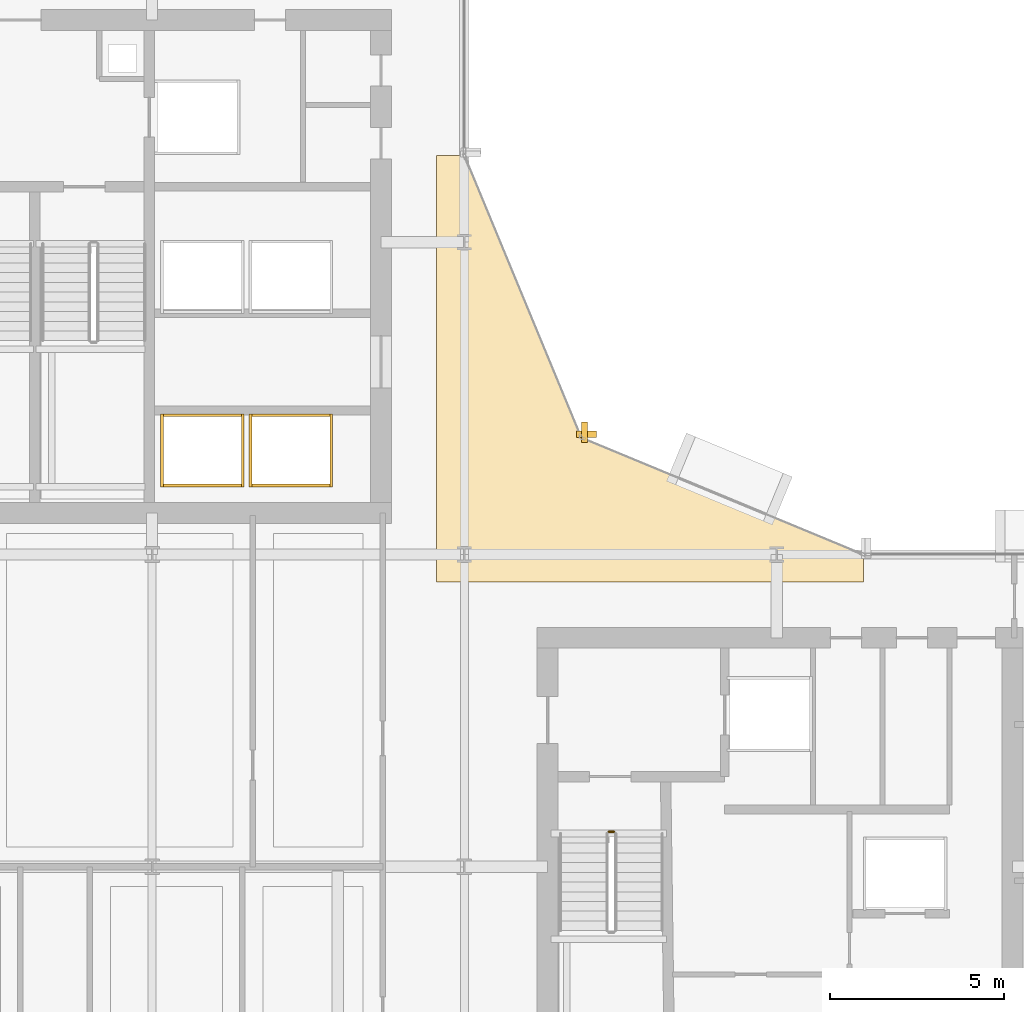
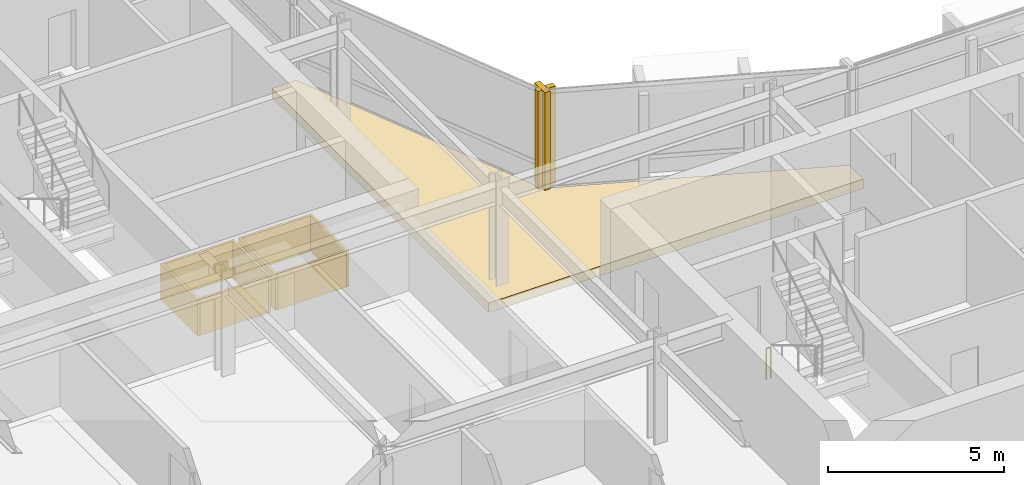
# One storey, part 27 of 29: 11 coverings, 1 railing.
"""IFC4 building model written with IfcOpenShell, lengths in metres."""

import ifcopenshell
import ifcopenshell.guid

model = None  # the IFC model being written
_history = None  # IfcOwnerHistory: only IFC2X3 demands one
_inside = {}  # id of a spatial element -> (the spatial element, [elements in it])
_under = {}  # id of a project, library or spatial element -> (it, [spatial elements below it])
_declared = {}  # id of a project -> (the project, [libraries it declares])
_typed = {}  # id of a type object -> (the type object, [elements of that type])
_made_of = {}  # id of a material, layer set ... -> (it, [elements and type objects made of it])


def new_model(schema):
    """Start an empty IFC model of exactly this schema.

    Asked for "IFC4X3", IfcOpenShell would pick the latest addendum, in which some entities
    have other attributes; the version numbers below select the first issue.
    IFC2X3 requires an IfcOwnerHistory on every rooted entity: one is made here for all.
    """
    global model, _history
    if schema == "IFC4X3":
        model = ifcopenshell.file(schema_version=(4, 3, 0, 0))
    else:
        model = ifcopenshell.file(schema=schema)
    _inside.clear()
    _under.clear()
    _declared.clear()
    _typed.clear()
    _made_of.clear()
    _history = None
    if model.schema == "IFC2X3":
        org = make("IfcOrganization", Name="unknown")
        user = make(
            "IfcPersonAndOrganization",
            ThePerson=make("IfcPerson", FamilyName="unknown"),
            TheOrganization=org,
        )
        app = make(
            "IfcApplication",
            ApplicationDeveloper=org,
            Version="unknown",
            ApplicationFullName="unknown",
            ApplicationIdentifier="unknown",
        )
        _history = make(
            "IfcOwnerHistory",
            OwningUser=user,
            OwningApplication=app,
            ChangeAction="ADDED",
            CreationDate=0,
        )
    return model


def make(cls, **values):
    """One entity of the class cls with the attributes given. An attribute that is None is left unset."""
    return model.create_entity(
        cls, **{name: value for name, value in values.items() if value is not None}
    )


def rooted(cls, **values):
    """An entity with a GlobalId (a new one), such as an element, a storey or a relation."""
    return make(cls, GlobalId=ifcopenshell.guid.new(), OwnerHistory=_history, **values)


def si_unit(unit_type, name, prefix=None):
    """IfcSIUnit, for example si_unit("LENGTHUNIT", "METRE", prefix="MILLI")."""
    return make("IfcSIUnit", UnitType=unit_type, Prefix=prefix, Name=name)


def assignment(units):
    """IfcUnitAssignment: the units of a project."""
    return None if units is None else make("IfcUnitAssignment", Units=units)


def point(xyz):
    """IfcCartesianPoint."""
    return None if xyz is None else make("IfcCartesianPoint", Coordinates=xyz)


def direction(xyz):
    """IfcDirection."""
    return None if xyz is None else make("IfcDirection", DirectionRatios=xyz)


def frame(location, z_axis=None, x_axis=None):
    """IfcAxis2Placement3D, a coordinate frame: its origin and axes. An axis left out is left unset."""
    return make(
        "IfcAxis2Placement3D",
        Location=point(location),
        Axis=direction(z_axis),
        RefDirection=direction(x_axis),
    )


def frame_2d(location, x_axis=None):
    """IfcAxis2Placement2D, a coordinate frame in the plane: its origin and x axis."""
    return make(
        "IfcAxis2Placement2D", Location=point(location), RefDirection=direction(x_axis)
    )


def origin():
    """The frame at (0, 0, 0) with its axes left unset."""
    return frame((0.0, 0.0, 0.0))


def origin_2d():
    """The frame at (0, 0) in the plane with its x axis left unset."""
    return frame_2d((0.0, 0.0))


def place(relative_to, where):
    """IfcLocalPlacement: puts the frame where relative to a parent placement (None: the world)."""
    return make(
        "IfcLocalPlacement", PlacementRelTo=relative_to, RelativePlacement=where
    )


def context(
    kind, dimensions, precision=None, world=None, true_north=None, identifier=None
):
    """IfcGeometricRepresentationContext, for example the 3D "Model" context."""
    return make(
        "IfcGeometricRepresentationContext",
        ContextIdentifier=identifier,
        ContextType=kind,
        CoordinateSpaceDimension=dimensions,
        Precision=precision,
        WorldCoordinateSystem=world,
        TrueNorth=true_north,
    )


def subcontext(parent, identifier, kind, view, scale=None):
    """IfcGeometricRepresentationSubContext, for example "Body" below "Model"."""
    return make(
        "IfcGeometricRepresentationSubContext",
        ContextIdentifier=identifier,
        ContextType=kind,
        ParentContext=parent,
        TargetScale=scale,
        TargetView=view,
    )


def project(units=None, contexts=None):
    """IfcProject with its units and contexts."""
    return rooted(
        "IfcProject",
        Name="project",
        RepresentationContexts=contexts,
        UnitsInContext=assignment(units),
    )


def spatial(cls, under=None, at=None, **own):
    """A site, building, storey or space (cls), placed at a placement, below another one or the project."""
    s = rooted(cls, ObjectPlacement=at, **own)
    if under is not None:
        _under.setdefault(under.id(), (under, []))[1].append(s)
    return s


def polyline(points):
    """IfcPolyline through the points."""
    return make("IfcPolyline", Points=[point(p) for p in points])


def profile(cls, at=None, kind="AREA", **sizes):
    """A parametric profile (cls). Its sizes go by their IFC names, for example OverallWidth=200.0."""
    return make(cls, ProfileType=kind, Position=at, **sizes)


def rectangle(**sizes):
    """IfcRectangleProfileDef."""
    return profile("IfcRectangleProfileDef", **sizes)


def circle(**sizes):
    """IfcCircleProfileDef."""
    return profile("IfcCircleProfileDef", **sizes)


def outline(outer, holes=None, kind="AREA"):
    """IfcArbitraryClosedProfileDef: a profile drawn as a closed curve; with holes, ...WithVoids."""
    if holes is None:
        return make("IfcArbitraryClosedProfileDef", ProfileType=kind, OuterCurve=outer)
    return make(
        "IfcArbitraryProfileDefWithVoids",
        ProfileType=kind,
        OuterCurve=outer,
        InnerCurves=holes,
    )


def extrude(swept, where, along, depth):
    """IfcExtrudedAreaSolid: the profile swept, set in the frame where, extruded along a direction by depth."""
    return make(
        "IfcExtrudedAreaSolid",
        SweptArea=swept,
        Position=where,
        ExtrudedDirection=direction(along),
        Depth=depth,
    )


def shape(context_of_items, identifier, shape_type, items):
    """IfcShapeRepresentation: the items that make up one representation, for example the "Body"."""
    return make(
        "IfcShapeRepresentation",
        ContextOfItems=context_of_items,
        RepresentationIdentifier=identifier,
        RepresentationType=shape_type,
        Items=items,
    )


def material(Name=None, Category=None):
    """IfcMaterial."""
    return make("IfcMaterial", Name=Name, Category=Category)


def layer(
    of_material, thickness, ventilated=None, Name=None, Category=None, Priority=None
):
    """IfcMaterialLayer: one layer of a wall or slab, of a material (None: an air gap)."""
    return make(
        "IfcMaterialLayer",
        Material=of_material,
        LayerThickness=thickness,
        IsVentilated=ventilated,
        Name=Name,
        Category=Category,
        Priority=Priority,
    )


def layer_set(layers, Name=None):
    """IfcMaterialLayerSet."""
    return make("IfcMaterialLayerSet", MaterialLayers=layers, LayerSetName=Name)


def made_of(thing, what):
    """Note that an element or type object is made of a material, layer set ...; save() writes the relation."""
    if what is not None:
        _made_of.setdefault(what.id(), (what, []))[1].append(thing)
    return thing


def type_object(cls, material=None, **own):
    """A type object (cls), such as IfcWallType, which elements share."""
    return made_of(rooted(cls, **own), material)


def element(
    cls,
    number,
    at=None,
    inside=None,
    cuts=None,
    type_object=None,
    material=None,
    context=None,
    identifier="Body",
    shape_type=None,
    held_by="IfcProductDefinitionShape",
    body=None,
    shapes=None,
    **own,
):
    """One element of the class cls, such as IfcWall. Its Tag is "e" and its number.

    at: its placement. inside: the storey or other place that contains it. cuts: it is an
    opening in that element (IfcRelVoidsElement). A single representation is given by context,
    identifier, shape_type and body (its items); several are given by shapes. held_by: the class
    of the entity that holds the representations. save() writes the other relations.
    """
    e = rooted(cls, Tag="e%d" % number, ObjectPlacement=at, **own)
    if body is not None:
        shapes = [shape(context, identifier, shape_type, body)]
    if shapes is not None:
        e.Representation = make(held_by, Representations=shapes)
    if inside is not None:
        _inside.setdefault(inside.id(), (inside, []))[1].append(e)
    if cuts is not None:
        rooted(
            "IfcRelVoidsElement", RelatingBuildingElement=cuts, RelatedOpeningElement=e
        )
    if type_object is not None:
        _typed.setdefault(type_object.id(), (type_object, []))[1].append(e)
    return made_of(e, material)


def aggregate(whole, parts):
    """IfcRelAggregates: a whole, such as a stair, and the parts it consists of."""
    return rooted("IfcRelAggregates", RelatingObject=whole, RelatedObjects=parts)


def save(model, path):
    """Write the relations noted so far, then the file.

    IfcRelAggregates (storeys below a building ...), IfcRelContainedInSpatialStructure (elements
    in a storey), IfcRelDefinesByType, IfcRelAssociatesMaterial and IfcRelDeclares: one each for
    every whole, place, type object, material and project.
    """
    for whole, parts in _under.values():
        aggregate(whole, parts)
    for where, things in _inside.values():
        rooted(
            "IfcRelContainedInSpatialStructure",
            RelatedElements=things,
            RelatingStructure=where,
        )
    for kind, things in _typed.values():
        rooted("IfcRelDefinesByType", RelatedObjects=things, RelatingType=kind)
    for what, things in _made_of.values():
        rooted("IfcRelAssociatesMaterial", RelatedObjects=things, RelatingMaterial=what)
    for by, libraries in _declared.values():
        rooted("IfcRelDeclares", RelatingContext=by, RelatedDefinitions=libraries)
    model.write(path)


model = new_model("IFC4")

# Units and contexts
model_context = context("Model", 3, precision=1e-05, world=origin(), true_north=direction((0.0, 1.0)))
body_context = subcontext(model_context, "Body", "Model", "MODEL_VIEW")
ifc_project = project(units=[si_unit("LENGTHUNIT", "METRE"), si_unit("AREAUNIT", "SQUARE_METRE"), si_unit("VOLUMEUNIT", "CUBIC_METRE"), si_unit("PLANEANGLEUNIT", "RADIAN"), si_unit("MASSUNIT", "GRAM", prefix="KILO")], contexts=[model_context])

# Site, building, storey
site_placement = place(None, origin())
site = spatial("IfcSite", under=ifc_project, at=site_placement, CompositionType="ELEMENT")
building_placement = place(site_placement, origin())
building = spatial("IfcBuilding", under=site, at=building_placement, Name="Solvaryn Broadcast Tower", CompositionType="ELEMENT")
storey_placement = place(building_placement, frame((0.0, 0.0, 124.800048828125)))
storey = spatial("IfcBuildingStorey", under=building, at=storey_placement, Name="L30", CompositionType="ELEMENT", Elevation=124.800048828125)

# Coverings
ifc_material_1 = material(Name="Fire-Rated Gypsum Shaftwall Liner", Category="concrete")
ifc_layer_1 = layer(ifc_material_1, 0.080078125)
ifc_layer_set_1 = layer_set([ifc_layer_1], Name="CV-SHAFT-LINER")
covering_type_1 = type_object("IfcCoveringType", Name="CV-SHAFT-LINER", PredefinedType="CLADDING", material=ifc_layer_set_1)
for number, where, z_axis, x_axis, name in (
    (1, (19.449951171875, 31.014892578125, 0.0), (0.0, 0.0, 1.0), (1.0, 0.0, 0.0), "L30 PH1 Hoistway Shaft Liner North"),
    (2, (19.449951171875, 28.985107421875, 0.0), (0.0, 0.0, 1.0), (1.0, 0.0, 0.0), "L30 PH1 Hoistway Shaft Liner South"),
):
    element("IfcCovering", number, at=place(storey_placement, frame(where, z_axis=z_axis, x_axis=x_axis)), inside=storey, type_object=covering_type_1, Name=name, PredefinedType="CLADDING", context=body_context, shape_type="SweptSolid", body=[
        extrude(rectangle(XDim=2.409912109375, YDim=0.080078125, at=origin_2d()), origin(), (0.0, 0.0, 1.0), 1.25),
    ])
for number, where, z_axis, x_axis, name in (
    (3, (20.614990234375, 30.0, 0.0), (0.0, 0.0, 1.0), (1.0, 0.0, 0.0), "L30 PH1 Hoistway Shaft Liner East"),
    (4, (18.284912109375, 30.0, 0.0), (0.0, 0.0, 1.0), (1.0, 0.0, 0.0), "L30 PH1 Hoistway Shaft Liner West"),
):
    element("IfcCovering", number, at=place(storey_placement, frame(where, z_axis=z_axis, x_axis=x_axis)), inside=storey, type_object=covering_type_1, Name=name, PredefinedType="CLADDING", context=body_context, shape_type="SweptSolid", body=[
        extrude(rectangle(XDim=0.080078125, YDim=2.110107421875, at=origin_2d()), origin(), (0.0, 0.0, 1.0), 1.25),
    ])
for number, where, z_axis, x_axis, name in (
    (5, (22.0, 31.014892578125, 0.0), (0.0, 0.0, 1.0), (1.0, 0.0, 0.0), "L30 PH2 Hoistway Shaft Liner North"),
    (6, (22.0, 28.985107421875, 0.0), (0.0, 0.0, 1.0), (1.0, 0.0, 0.0), "L30 PH2 Hoistway Shaft Liner South"),
):
    element("IfcCovering", number, at=place(storey_placement, frame(where, z_axis=z_axis, x_axis=x_axis)), inside=storey, type_object=covering_type_1, Name=name, PredefinedType="CLADDING", context=body_context, shape_type="SweptSolid", body=[
        extrude(rectangle(XDim=2.409912109375, YDim=0.080078125, at=origin_2d()), origin(), (0.0, 0.0, 1.0), 1.25),
    ])
for number, where, z_axis, x_axis, name in (
    (7, (23.1650390625, 30.0, 0.0), (0.0, 0.0, 1.0), (1.0, 0.0, 0.0), "L30 PH2 Hoistway Shaft Liner East"),
    (8, (20.8349609375, 30.0, 0.0), (0.0, 0.0, 1.0), (1.0, 0.0, 0.0), "L30 PH2 Hoistway Shaft Liner West"),
):
    element("IfcCovering", number, at=place(storey_placement, frame(where, z_axis=z_axis, x_axis=x_axis)), inside=storey, type_object=covering_type_1, Name=name, PredefinedType="CLADDING", context=body_context, shape_type="SweptSolid", body=[
        extrude(rectangle(XDim=0.080078125, YDim=2.110107421875, at=origin_2d()), origin(), (0.0, 0.0, 1.0), 1.25),
    ])
ifc_material_2 = material(Name="Extruded Architectural Terracotta Fin", Category="masonry")
ifc_layer_2 = layer(ifc_material_2, 0.179931640625)
ifc_layer_set_2 = layer_set([ifc_layer_2], Name="CV-TC-FIN")
covering_type_2 = type_object("IfcCoveringType", Name="CV-TC-FIN", PredefinedType="USERDEFINED", material=ifc_layer_set_2)
covering_1_placement = place(storey_placement, frame((30.464599609375, 30.52294921875, 0.0), z_axis=(0.0, 0.0, 1.0), x_axis=(1.0, 0.0, 0.0)))
element("IfcCovering", 9, at=covering_1_placement, inside=storey, type_object=covering_type_2, Name="L30 Terracotta Vertical Fin FIN-L30-CN1-M01", ObjectType="FIN", PredefinedType="USERDEFINED", context=body_context, shape_type="SweptSolid", body=[
    extrude(rectangle(XDim=0.179931640625, YDim=0.580078125, at=origin_2d()), origin(), (0.0, 0.0, 1.0), 3.419921875),
])
covering_2_placement = place(storey_placement, frame((30.52294921875, 30.464599609375, 0.0), z_axis=(0.0, 0.0, 1.0), x_axis=(1.0, 0.0, 0.0)))
element("IfcCovering", 10, at=covering_2_placement, inside=storey, type_object=covering_type_2, Name="L30 Terracotta Vertical Fin FIN-L30-CN2-M00", ObjectType="FIN", PredefinedType="USERDEFINED", context=body_context, shape_type="SweptSolid", body=[
    extrude(rectangle(XDim=0.580078125, YDim=0.179931640625, at=origin_2d()), origin(), (0.0, 0.0, 1.0), 3.419921875),
])
ifc_material_3 = material(Name="Sculpted Architectural Terracotta Wave Fascia", Category="masonry")
ifc_layer_3 = layer(ifc_material_3, 0.340087890625)
ifc_layer_set_3 = layer_set([ifc_layer_3], Name="CV-WAVE-TRAY")
covering_type_3 = type_object("IfcCoveringType", Name="CV-WAVE-TRAY", PredefinedType="CLADDING", material=ifc_layer_set_3)
covering_3_placement = place(storey_placement, frame((0.0, 0.0, -0.300048828125)))
element("IfcCovering", 11, at=covering_3_placement, inside=storey, type_object=covering_type_3, Name="L30 Concave Canyon Floor Apron", PredefinedType="CLADDING", context=body_context, shape_type="SweptSolid", body=[
    extrude(outline(polyline([(26.199951171875, 26.199951171875), (38.5, 26.199951171875), (38.5, 27.0), (30.367919921875, 30.367919921875), (27.0, 38.5), (26.199951171875, 38.5), (26.199951171875, 26.199951171875)])), origin(), (0.0, 0.0, 1.0), 0.330078125),
])

# Railing
ifc_material_4 = material(Name="Painted Steel Stair Well Guard", Category="steel")
railing_type = type_object("IfcRailingType", Name="RL-STAIR-GUARD", PredefinedType="BALUSTRADE", material=ifc_material_4)
railing_placement = place(storey_placement, frame((31.159912109375, 19.010009765625, 0.0)))
element("IfcRailing", 12, at=railing_placement, inside=storey, type_object=railing_type, Name="L30 ST3 stair guard 4", PredefinedType="BALUSTRADE", context=body_context, shape_type="SweptSolid", body=[
    extrude(circle(Radius=0.02392578125, at=origin_2d()), frame((0.0, 0.0, 1.076171875), z_axis=(1.0, 0.0, 0.0), x_axis=(0.0, 1.0, 0.0)), (0.0, 0.0, 1.0), 0.150146484375),
    extrude(circle(Radius=0.02099609375, at=origin_2d()), origin(), (0.0, 0.0, 1.0), 1.052001953125),
    extrude(circle(Radius=0.02099609375, at=origin_2d()), frame((0.150146484375, 0.0, 0.0)), (0.0, 0.0, 1.0), 1.052001953125),
])

save(model, "model.ifc")
